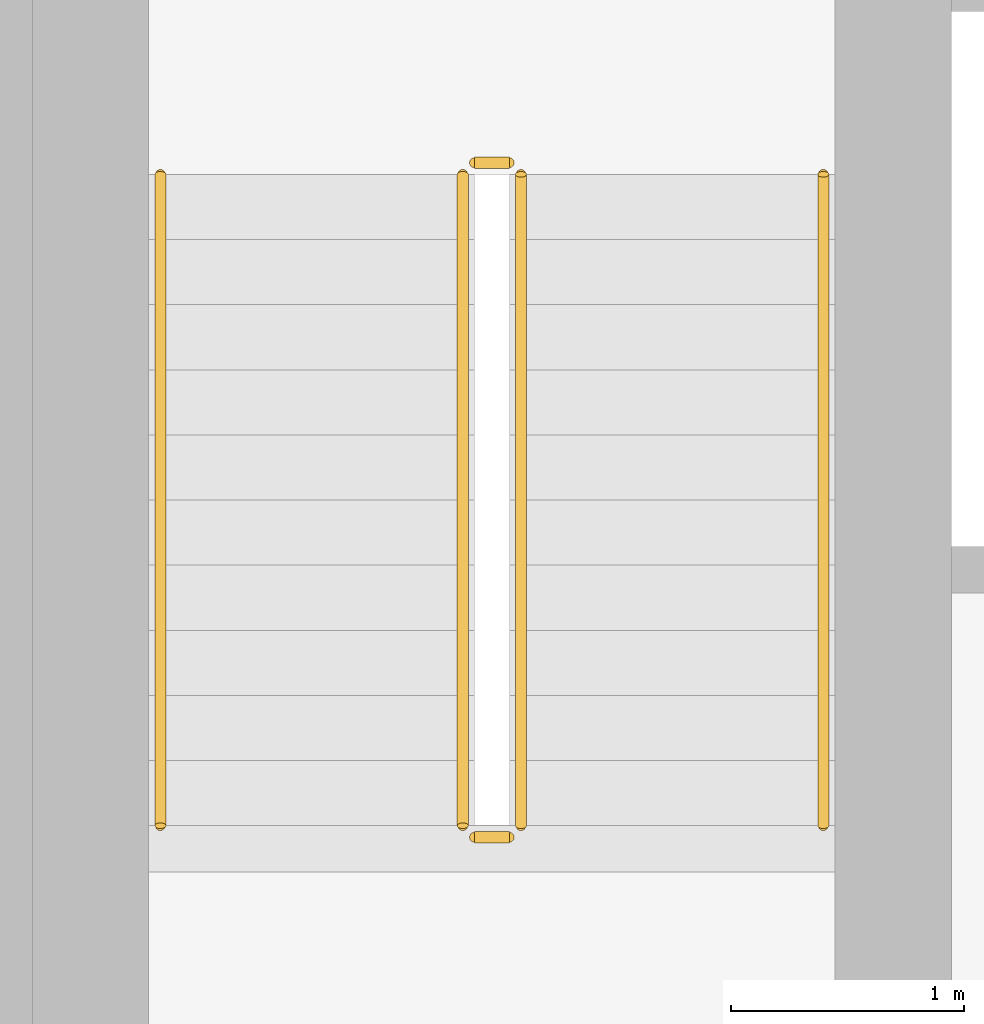
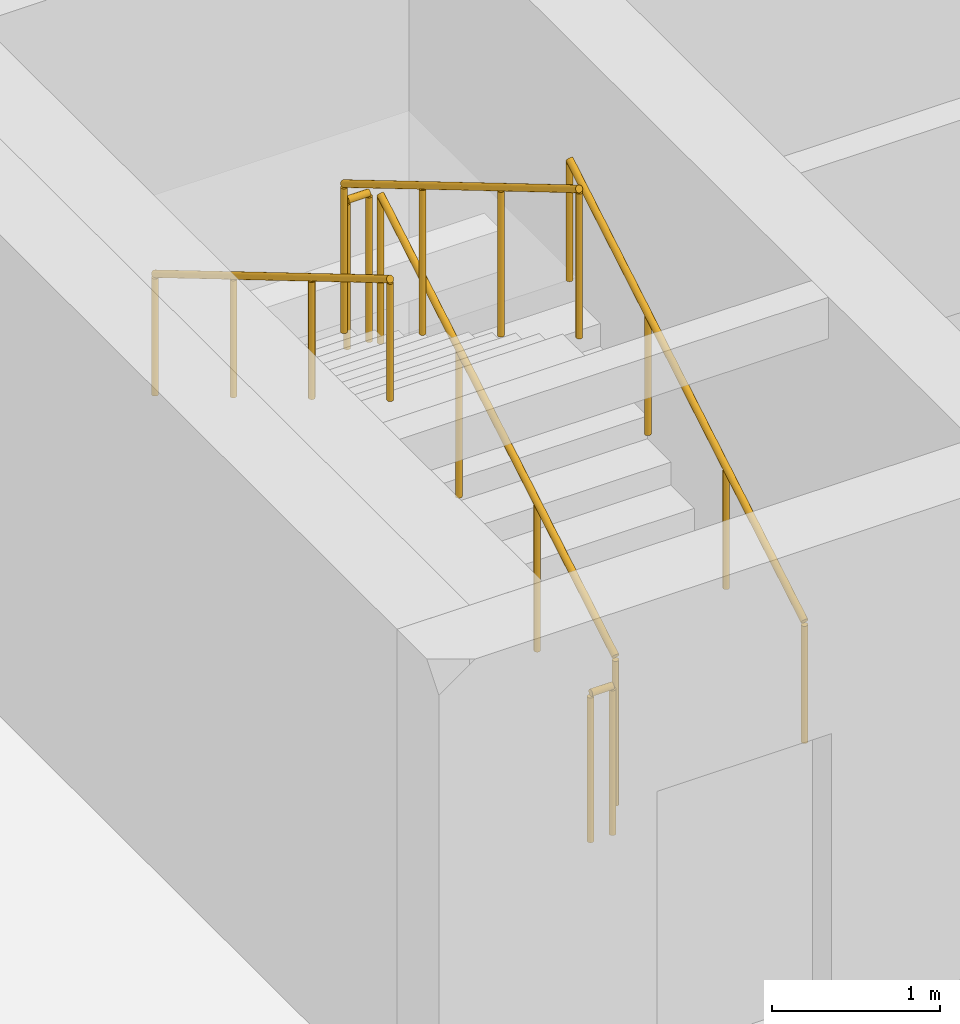
# One storey, part 12 of 15: 6 railings.
"""IFC4 building model written with IfcOpenShell, lengths in metres."""

from ifc_helpers import new_model, si_unit, direction, frame, origin, origin_2d, place, context, subcontext, project, spatial, circle, extrude, material, type_object, element, save


model = new_model("IFC4")

# Units and contexts
model_context = context("Model", 3, precision=1e-05, world=origin(), true_north=direction((0.0, 1.0)))
body_context = subcontext(model_context, "Body", "Model", "MODEL_VIEW")
ifc_project = project(units=[si_unit("LENGTHUNIT", "METRE"), si_unit("AREAUNIT", "SQUARE_METRE"), si_unit("VOLUMEUNIT", "CUBIC_METRE"), si_unit("PLANEANGLEUNIT", "RADIAN"), si_unit("MASSUNIT", "GRAM", prefix="KILO")], contexts=[model_context])

# Site, building, storey
site_placement = place(None, origin())
site = spatial("IfcSite", under=ifc_project, at=site_placement, CompositionType="ELEMENT")
building_placement = place(site_placement, origin())
building = spatial("IfcBuilding", under=site, at=building_placement, Name="Isthmus Gate Tower", CompositionType="ELEMENT")
storey_placement = place(building_placement, frame((0.0, 0.0, 290.14990234375)))
storey = spatial("IfcBuildingStorey", under=building, at=storey_placement, Name="L74", CompositionType="ELEMENT", Elevation=290.14990234375)

# Railings
ifc_material_1 = material(Name="Stainless steel balustrade", Category="steel")
railing_type_1 = type_object("IfcRailingType", Name="STAIR GUARD 1100", PredefinedType="GUARDRAIL", material=ifc_material_1)
railing_1_placement = place(storey_placement, frame((-12.39990234375, 2.39990234375, 0.166015625)))
element("IfcRailing", 1, at=railing_1_placement, inside=storey, type_object=railing_type_1, Name="L74 ST7 stair guard 1", PredefinedType="GUARDRAIL", context=body_context, shape_type="SweptSolid", body=[
    extrude(circle(Radius=0.02392578125, at=origin_2d()), frame((0.0, 0.0, 1.076171875), z_axis=(0.0, 0.860306154799, 0.50977771628), x_axis=(-1.0, 0.0, 0.0)), (0.0, 0.0, 1.0), 3.254638671875),
    extrude(circle(Radius=0.02099609375, at=origin_2d()), origin(), (0.0, 0.0, 1.0), 1.052001953125),
    extrude(circle(Radius=0.02099609375, at=origin_2d()), frame((0.0, 0.933349609375, 0.552978515625)), (0.0, 0.0, 1.0), 1.052001953125),
    extrude(circle(Radius=0.02099609375, at=origin_2d()), frame((0.0, 1.86669921875, 1.106201171875)), (0.0, 0.0, 1.0), 1.052001953125),
    extrude(circle(Radius=0.02099609375, at=origin_2d()), frame((0.0, 2.800048828125, 1.6591796875)), (0.0, 0.0, 1.0), 1.052001953125),
])
railing_2_placement = place(storey_placement, frame((-12.449951171875, 5.25, 1.8251953125)))
element("IfcRailing", 2, at=railing_2_placement, inside=storey, type_object=railing_type_1, Name="L74 ST7 stair guard 2", PredefinedType="GUARDRAIL", context=body_context, shape_type="SweptSolid", body=[
    extrude(circle(Radius=0.02392578125, at=origin_2d()), frame((0.0, 0.0, 1.076171875), z_axis=(-1.0, 0.0, 0.0), x_axis=(0.0, -1.0, 0.0)), (0.0, 0.0, 1.0), 0.150146484375),
    extrude(circle(Radius=0.02099609375, at=origin_2d()), origin(), (0.0, 0.0, 1.0), 1.052001953125),
    extrude(circle(Radius=0.02099609375, at=origin_2d()), frame((-0.150146484375, 0.0, 0.0)), (0.0, 0.0, 1.0), 1.052001953125),
])
railing_3_placement = place(storey_placement, frame((-12.64990234375, 5.199951171875, 1.990966796875)))
element("IfcRailing", 3, at=railing_3_placement, inside=storey, type_object=railing_type_1, Name="L74 ST7 stair guard 3", PredefinedType="GUARDRAIL", context=body_context, shape_type="SweptSolid", body=[
    extrude(circle(Radius=0.02392578125, at=origin_2d()), frame((0.0, 0.0, 1.076171875), z_axis=(0.0, -0.860306154799, 0.50977771628), x_axis=(1.0, 0.0, 0.0)), (0.0, 0.0, 1.0), 3.254638671875),
    extrude(circle(Radius=0.02099609375, at=origin_2d()), origin(), (0.0, 0.0, 1.0), 1.052001953125),
    extrude(circle(Radius=0.02099609375, at=origin_2d()), frame((0.0, -0.933349609375, 0.552978515625)), (0.0, 0.0, 1.0), 1.052001953125),
    extrude(circle(Radius=0.02099609375, at=origin_2d()), frame((0.0, -1.86669921875, 1.106201171875)), (0.0, 0.0, 1.0), 1.052001953125),
    extrude(circle(Radius=0.02099609375, at=origin_2d()), frame((0.0, -2.800048828125, 1.6591796875)), (0.0, 0.0, 1.0), 1.052001953125),
])
railing_4_placement = place(storey_placement, frame((-12.449951171875, 2.35009765625, 0.0)))
element("IfcRailing", 4, at=railing_4_placement, inside=storey, type_object=railing_type_1, Name="L74 ST7 stair guard 4", PredefinedType="GUARDRAIL", context=body_context, shape_type="SweptSolid", body=[
    extrude(circle(Radius=0.02392578125, at=origin_2d()), frame((0.0, 0.0, 1.076171875), z_axis=(-1.0, 0.0, 0.0), x_axis=(0.0, -1.0, 0.0)), (0.0, 0.0, 1.0), 0.150146484375),
    extrude(circle(Radius=0.02099609375, at=origin_2d()), origin(), (0.0, 0.0, 1.0), 1.052001953125),
    extrude(circle(Radius=0.02099609375, at=origin_2d()), frame((-0.150146484375, 0.0, 0.0)), (0.0, 0.0, 1.0), 1.052001953125),
])
ifc_material_2 = material(Name="Stainless steel handrail", Category="steel")
railing_type_2 = type_object("IfcRailingType", Name="STAIR HANDRAIL 900", PredefinedType="HANDRAIL", material=ifc_material_2)
railing_5_placement = place(storey_placement, frame((-11.10009765625, 2.39990234375, 0.166015625)))
element("IfcRailing", 5, at=railing_5_placement, inside=storey, type_object=railing_type_2, Name="L74 ST7 stair handrail 1", PredefinedType="HANDRAIL", context=body_context, shape_type="SweptSolid", body=[
    extrude(circle(Radius=0.02392578125, at=origin_2d()), frame((0.0, 0.0, 0.8759765625), z_axis=(0.0, 0.860306154799, 0.50977771628), x_axis=(-1.0, 0.0, 0.0)), (0.0, 0.0, 1.0), 3.254638671875),
    extrude(circle(Radius=0.02099609375, at=origin_2d()), origin(), (0.0, 0.0, 1.0), 0.851806640625),
    extrude(circle(Radius=0.02099609375, at=origin_2d()), frame((0.0, 0.933349609375, 0.552978515625)), (0.0, 0.0, 1.0), 0.851806640625),
    extrude(circle(Radius=0.02099609375, at=origin_2d()), frame((0.0, 1.86669921875, 1.106201171875)), (0.0, 0.0, 1.0), 0.851806640625),
    extrude(circle(Radius=0.02099609375, at=origin_2d()), frame((0.0, 2.800048828125, 1.6591796875)), (0.0, 0.0, 1.0), 0.851806640625),
])
railing_6_placement = place(storey_placement, frame((-13.949951171875, 5.199951171875, 1.990966796875)))
element("IfcRailing", 6, at=railing_6_placement, inside=storey, type_object=railing_type_2, Name="L74 ST7 stair handrail 2", PredefinedType="HANDRAIL", context=body_context, shape_type="SweptSolid", body=[
    extrude(circle(Radius=0.02392578125, at=origin_2d()), frame((0.0, 0.0, 0.8759765625), z_axis=(0.0, -0.860306154799, 0.50977771628), x_axis=(1.0, 0.0, 0.0)), (0.0, 0.0, 1.0), 3.254638671875),
    extrude(circle(Radius=0.02099609375, at=origin_2d()), origin(), (0.0, 0.0, 1.0), 0.851806640625),
    extrude(circle(Radius=0.02099609375, at=origin_2d()), frame((0.0, -0.933349609375, 0.552978515625)), (0.0, 0.0, 1.0), 0.851806640625),
    extrude(circle(Radius=0.02099609375, at=origin_2d()), frame((0.0, -1.86669921875, 1.106201171875)), (0.0, 0.0, 1.0), 0.851806640625),
    extrude(circle(Radius=0.02099609375, at=origin_2d()), frame((0.0, -2.800048828125, 1.6591796875)), (0.0, 0.0, 1.0), 0.851806640625),
])

save(model, "model.ifc")
